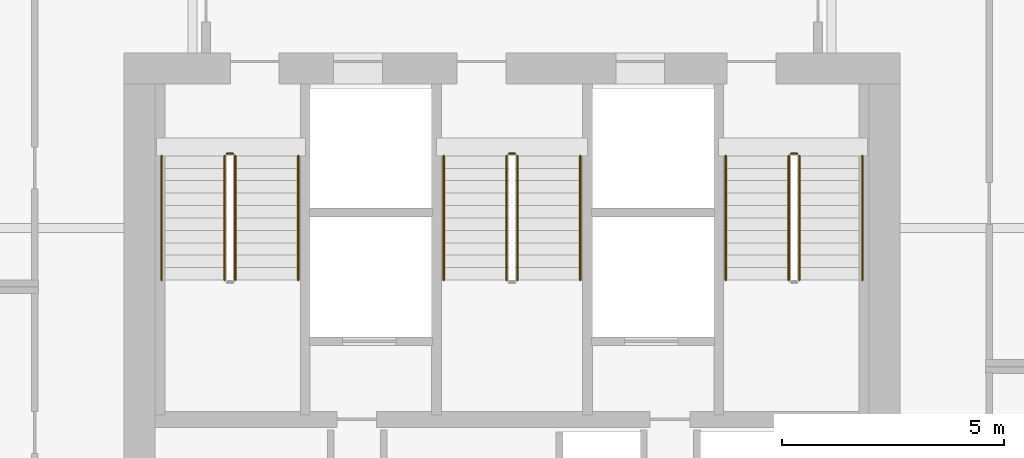
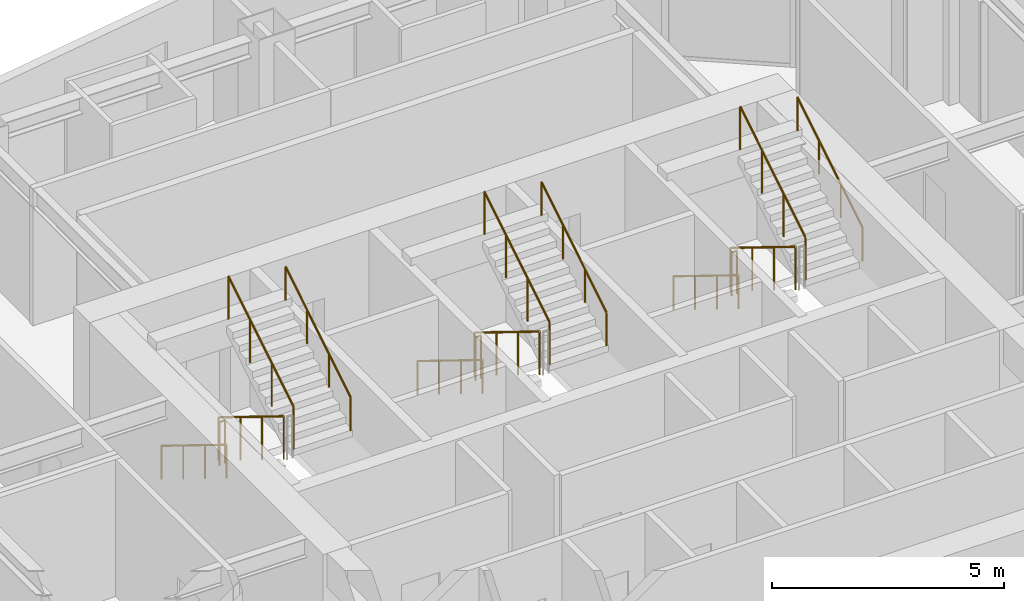
# One storey, part 16 of 16: 15 railings.
"""IFC4 building model written with IfcOpenShell, lengths in metres."""

import ifcopenshell
import ifcopenshell.guid

model = None  # the IFC model being written
_history = None  # IfcOwnerHistory: only IFC2X3 demands one
_inside = {}  # id of a spatial element -> (the spatial element, [elements in it])
_under = {}  # id of a project, library or spatial element -> (it, [spatial elements below it])
_declared = {}  # id of a project -> (the project, [libraries it declares])
_typed = {}  # id of a type object -> (the type object, [elements of that type])
_made_of = {}  # id of a material, layer set ... -> (it, [elements and type objects made of it])


def new_model(schema):
    """Start an empty IFC model of exactly this schema.

    Asked for "IFC4X3", IfcOpenShell would pick the latest addendum, in which some entities
    have other attributes; the version numbers below select the first issue.
    IFC2X3 requires an IfcOwnerHistory on every rooted entity: one is made here for all.
    """
    global model, _history
    if schema == "IFC4X3":
        model = ifcopenshell.file(schema_version=(4, 3, 0, 0))
    else:
        model = ifcopenshell.file(schema=schema)
    _inside.clear()
    _under.clear()
    _declared.clear()
    _typed.clear()
    _made_of.clear()
    _history = None
    if model.schema == "IFC2X3":
        org = make("IfcOrganization", Name="unknown")
        user = make(
            "IfcPersonAndOrganization",
            ThePerson=make("IfcPerson", FamilyName="unknown"),
            TheOrganization=org,
        )
        app = make(
            "IfcApplication",
            ApplicationDeveloper=org,
            Version="unknown",
            ApplicationFullName="unknown",
            ApplicationIdentifier="unknown",
        )
        _history = make(
            "IfcOwnerHistory",
            OwningUser=user,
            OwningApplication=app,
            ChangeAction="ADDED",
            CreationDate=0,
        )
    return model


def make(cls, **values):
    """One entity of the class cls with the attributes given. An attribute that is None is left unset."""
    return model.create_entity(
        cls, **{name: value for name, value in values.items() if value is not None}
    )


def rooted(cls, **values):
    """An entity with a GlobalId (a new one), such as an element, a storey or a relation."""
    return make(cls, GlobalId=ifcopenshell.guid.new(), OwnerHistory=_history, **values)


def si_unit(unit_type, name, prefix=None):
    """IfcSIUnit, for example si_unit("LENGTHUNIT", "METRE", prefix="MILLI")."""
    return make("IfcSIUnit", UnitType=unit_type, Prefix=prefix, Name=name)


def assignment(units):
    """IfcUnitAssignment: the units of a project."""
    return None if units is None else make("IfcUnitAssignment", Units=units)


def point(xyz):
    """IfcCartesianPoint."""
    return None if xyz is None else make("IfcCartesianPoint", Coordinates=xyz)


def direction(xyz):
    """IfcDirection."""
    return None if xyz is None else make("IfcDirection", DirectionRatios=xyz)


def frame(location, z_axis=None, x_axis=None):
    """IfcAxis2Placement3D, a coordinate frame: its origin and axes. An axis left out is left unset."""
    return make(
        "IfcAxis2Placement3D",
        Location=point(location),
        Axis=direction(z_axis),
        RefDirection=direction(x_axis),
    )


def frame_2d(location, x_axis=None):
    """IfcAxis2Placement2D, a coordinate frame in the plane: its origin and x axis."""
    return make(
        "IfcAxis2Placement2D", Location=point(location), RefDirection=direction(x_axis)
    )


def origin():
    """The frame at (0, 0, 0) with its axes left unset."""
    return frame((0.0, 0.0, 0.0))


def origin_2d():
    """The frame at (0, 0) in the plane with its x axis left unset."""
    return frame_2d((0.0, 0.0))


def place(relative_to, where):
    """IfcLocalPlacement: puts the frame where relative to a parent placement (None: the world)."""
    return make(
        "IfcLocalPlacement", PlacementRelTo=relative_to, RelativePlacement=where
    )


def context(
    kind, dimensions, precision=None, world=None, true_north=None, identifier=None
):
    """IfcGeometricRepresentationContext, for example the 3D "Model" context."""
    return make(
        "IfcGeometricRepresentationContext",
        ContextIdentifier=identifier,
        ContextType=kind,
        CoordinateSpaceDimension=dimensions,
        Precision=precision,
        WorldCoordinateSystem=world,
        TrueNorth=true_north,
    )


def subcontext(parent, identifier, kind, view, scale=None):
    """IfcGeometricRepresentationSubContext, for example "Body" below "Model"."""
    return make(
        "IfcGeometricRepresentationSubContext",
        ContextIdentifier=identifier,
        ContextType=kind,
        ParentContext=parent,
        TargetScale=scale,
        TargetView=view,
    )


def project(units=None, contexts=None):
    """IfcProject with its units and contexts."""
    return rooted(
        "IfcProject",
        Name="project",
        RepresentationContexts=contexts,
        UnitsInContext=assignment(units),
    )


def spatial(cls, under=None, at=None, **own):
    """A site, building, storey or space (cls), placed at a placement, below another one or the project."""
    s = rooted(cls, ObjectPlacement=at, **own)
    if under is not None:
        _under.setdefault(under.id(), (under, []))[1].append(s)
    return s


def profile(cls, at=None, kind="AREA", **sizes):
    """A parametric profile (cls). Its sizes go by their IFC names, for example OverallWidth=200.0."""
    return make(cls, ProfileType=kind, Position=at, **sizes)


def circle(**sizes):
    """IfcCircleProfileDef."""
    return profile("IfcCircleProfileDef", **sizes)


def extrude(swept, where, along, depth):
    """IfcExtrudedAreaSolid: the profile swept, set in the frame where, extruded along a direction by depth."""
    return make(
        "IfcExtrudedAreaSolid",
        SweptArea=swept,
        Position=where,
        ExtrudedDirection=direction(along),
        Depth=depth,
    )


def shape(context_of_items, identifier, shape_type, items):
    """IfcShapeRepresentation: the items that make up one representation, for example the "Body"."""
    return make(
        "IfcShapeRepresentation",
        ContextOfItems=context_of_items,
        RepresentationIdentifier=identifier,
        RepresentationType=shape_type,
        Items=items,
    )


def material(Name=None, Category=None):
    """IfcMaterial."""
    return make("IfcMaterial", Name=Name, Category=Category)


def made_of(thing, what):
    """Note that an element or type object is made of a material, layer set ...; save() writes the relation."""
    if what is not None:
        _made_of.setdefault(what.id(), (what, []))[1].append(thing)
    return thing


def type_object(cls, material=None, **own):
    """A type object (cls), such as IfcWallType, which elements share."""
    return made_of(rooted(cls, **own), material)


def element(
    cls,
    number,
    at=None,
    inside=None,
    cuts=None,
    type_object=None,
    material=None,
    context=None,
    identifier="Body",
    shape_type=None,
    held_by="IfcProductDefinitionShape",
    body=None,
    shapes=None,
    **own,
):
    """One element of the class cls, such as IfcWall. Its Tag is "e" and its number.

    at: its placement. inside: the storey or other place that contains it. cuts: it is an
    opening in that element (IfcRelVoidsElement). A single representation is given by context,
    identifier, shape_type and body (its items); several are given by shapes. held_by: the class
    of the entity that holds the representations. save() writes the other relations.
    """
    e = rooted(cls, Tag="e%d" % number, ObjectPlacement=at, **own)
    if body is not None:
        shapes = [shape(context, identifier, shape_type, body)]
    if shapes is not None:
        e.Representation = make(held_by, Representations=shapes)
    if inside is not None:
        _inside.setdefault(inside.id(), (inside, []))[1].append(e)
    if cuts is not None:
        rooted(
            "IfcRelVoidsElement", RelatingBuildingElement=cuts, RelatedOpeningElement=e
        )
    if type_object is not None:
        _typed.setdefault(type_object.id(), (type_object, []))[1].append(e)
    return made_of(e, material)


def aggregate(whole, parts):
    """IfcRelAggregates: a whole, such as a stair, and the parts it consists of."""
    return rooted("IfcRelAggregates", RelatingObject=whole, RelatedObjects=parts)


def save(model, path):
    """Write the relations noted so far, then the file.

    IfcRelAggregates (storeys below a building ...), IfcRelContainedInSpatialStructure (elements
    in a storey), IfcRelDefinesByType, IfcRelAssociatesMaterial and IfcRelDeclares: one each for
    every whole, place, type object, material and project.
    """
    for whole, parts in _under.values():
        aggregate(whole, parts)
    for where, things in _inside.values():
        rooted(
            "IfcRelContainedInSpatialStructure",
            RelatedElements=things,
            RelatingStructure=where,
        )
    for kind, things in _typed.values():
        rooted("IfcRelDefinesByType", RelatedObjects=things, RelatingType=kind)
    for what, things in _made_of.values():
        rooted("IfcRelAssociatesMaterial", RelatedObjects=things, RelatingMaterial=what)
    for by, libraries in _declared.values():
        rooted("IfcRelDeclares", RelatingContext=by, RelatedDefinitions=libraries)
    model.write(path)


model = new_model("IFC4")

# Units and contexts
model_context = context("Model", 3, precision=1e-05, world=origin(), true_north=direction((0.0, 1.0)))
body_context = subcontext(model_context, "Body", "Model", "MODEL_VIEW")
ifc_project = project(units=[si_unit("LENGTHUNIT", "METRE"), si_unit("AREAUNIT", "SQUARE_METRE"), si_unit("VOLUMEUNIT", "CUBIC_METRE"), si_unit("PLANEANGLEUNIT", "RADIAN"), si_unit("MASSUNIT", "GRAM", prefix="KILO")], contexts=[model_context])

# Site, building, storey
site_placement = place(None, origin())
site = spatial("IfcSite", under=ifc_project, at=site_placement, CompositionType="ELEMENT")
building_placement = place(site_placement, origin())
building = spatial("IfcBuilding", under=site, at=building_placement, Name="Haolan Belvedere Tower", CompositionType="ELEMENT")
storey_placement = place(building_placement, frame((0.0, 0.0, 125.0)))
storey = spatial("IfcBuildingStorey", under=building, at=storey_placement, Name="L31", CompositionType="ELEMENT", Elevation=125.0)

# Railings
ifc_material = material(Name="Brushed stainless steel 304", Category="steel")
railing_type_1 = type_object("IfcRailingType", Name="RL-STAIR-GRD-1150", PredefinedType="GUARDRAIL", material=ifc_material)
railing_1_placement = place(storey_placement, frame((31.919921875, 41.22998046875, 0.172607421875)))
element("IfcRailing", 1, at=railing_1_placement, inside=storey, type_object=railing_type_1, Name="L31 ST1 stair guard 1", PredefinedType="GUARDRAIL", context=body_context, shape_type="SweptSolid", body=[
    extrude(circle(Radius=0.02392578125, at=origin_2d()), frame((0.0, 0.0, 1.1259765625), z_axis=(0.0, -0.851089632645, 0.525020415988), x_axis=(1.0, 0.0, 0.0)), (0.0, 0.0, 1.0), 3.2900390625),
    extrude(circle(Radius=0.02099609375, at=origin_2d()), origin(), (0.0, 0.0, 1.0), 1.101806640625),
    extrude(circle(Radius=0.02099609375, at=origin_2d()), frame((0.0, -0.933349609375, 0.57568359375)), (0.0, 0.0, 1.0), 1.101806640625),
    extrude(circle(Radius=0.02099609375, at=origin_2d()), frame((0.0, -1.86669921875, 1.151611328125)), (0.0, 0.0, 1.0), 1.101806640625),
    extrude(circle(Radius=0.02099609375, at=origin_2d()), frame((0.0, -2.800048828125, 1.727294921875)), (0.0, 0.0, 1.0), 1.101806640625),
])
railing_2_placement = place(storey_placement, frame((32.159912109375, 38.429931640625, 2.07275390625)))
element("IfcRailing", 2, at=railing_2_placement, inside=storey, type_object=railing_type_1, Name="L31 ST1 stair guard 3", PredefinedType="GUARDRAIL", context=body_context, shape_type="SweptSolid", body=[
    extrude(circle(Radius=0.02392578125, at=origin_2d()), frame((0.0, 0.0, 1.1259765625), z_axis=(0.0, 0.851089632645, 0.525020415988), x_axis=(-1.0, 0.0, 0.0)), (0.0, 0.0, 1.0), 3.2900390625),
    extrude(circle(Radius=0.02099609375, at=origin_2d()), origin(), (0.0, 0.0, 1.0), 1.101806640625),
    extrude(circle(Radius=0.02099609375, at=origin_2d()), frame((0.0, 0.933349609375, 0.57568359375)), (0.0, 0.0, 1.0), 1.101806640625),
    extrude(circle(Radius=0.02099609375, at=origin_2d()), frame((0.0, 1.86669921875, 1.151611328125)), (0.0, 0.0, 1.0), 1.101806640625),
    extrude(circle(Radius=0.02099609375, at=origin_2d()), frame((0.0, 2.800048828125, 1.727294921875)), (0.0, 0.0, 1.0), 1.101806640625),
])
railing_3_placement = place(storey_placement, frame((31.969970703125, 41.280029296875, 0.0)))
element("IfcRailing", 3, at=railing_3_placement, inside=storey, type_object=railing_type_1, Name="L31 ST1 stair guard 4", PredefinedType="GUARDRAIL", context=body_context, shape_type="SweptSolid", body=[
    extrude(circle(Radius=0.02392578125, at=origin_2d()), frame((0.0, 0.0, 1.1259765625), z_axis=(1.0, 0.0, 0.0), x_axis=(0.0, 1.0, 0.0)), (0.0, 0.0, 1.0), 0.14013671875),
    extrude(circle(Radius=0.02099609375, at=origin_2d()), origin(), (0.0, 0.0, 1.0), 1.101806640625),
    extrude(circle(Radius=0.02099609375, at=origin_2d()), frame((0.14013671875, 0.0, 0.0)), (0.0, 0.0, 1.0), 1.101806640625),
])
railing_4_placement = place(storey_placement, frame((38.280029296875, 41.22998046875, 0.172607421875)))
element("IfcRailing", 4, at=railing_4_placement, inside=storey, type_object=railing_type_1, Name="L31 ST3 stair guard 1", PredefinedType="GUARDRAIL", context=body_context, shape_type="SweptSolid", body=[
    extrude(circle(Radius=0.02392578125, at=origin_2d()), frame((0.0, 0.0, 1.1259765625), z_axis=(0.0, -0.851089632645, 0.525020415988), x_axis=(1.0, 0.0, 0.0)), (0.0, 0.0, 1.0), 3.2900390625),
    extrude(circle(Radius=0.02099609375, at=origin_2d()), origin(), (0.0, 0.0, 1.0), 1.101806640625),
    extrude(circle(Radius=0.02099609375, at=origin_2d()), frame((0.0, -0.933349609375, 0.57568359375)), (0.0, 0.0, 1.0), 1.101806640625),
    extrude(circle(Radius=0.02099609375, at=origin_2d()), frame((0.0, -1.86669921875, 1.151611328125)), (0.0, 0.0, 1.0), 1.101806640625),
    extrude(circle(Radius=0.02099609375, at=origin_2d()), frame((0.0, -2.800048828125, 1.727294921875)), (0.0, 0.0, 1.0), 1.101806640625),
])
railing_5_placement = place(storey_placement, frame((38.52001953125, 38.429931640625, 2.07275390625)))
element("IfcRailing", 5, at=railing_5_placement, inside=storey, type_object=railing_type_1, Name="L31 ST3 stair guard 3", PredefinedType="GUARDRAIL", context=body_context, shape_type="SweptSolid", body=[
    extrude(circle(Radius=0.02392578125, at=origin_2d()), frame((0.0, 0.0, 1.1259765625), z_axis=(0.0, 0.851089632645, 0.525020415988), x_axis=(-1.0, 0.0, 0.0)), (0.0, 0.0, 1.0), 3.2900390625),
    extrude(circle(Radius=0.02099609375, at=origin_2d()), origin(), (0.0, 0.0, 1.0), 1.101806640625),
    extrude(circle(Radius=0.02099609375, at=origin_2d()), frame((0.0, 0.933349609375, 0.57568359375)), (0.0, 0.0, 1.0), 1.101806640625),
    extrude(circle(Radius=0.02099609375, at=origin_2d()), frame((0.0, 1.86669921875, 1.151611328125)), (0.0, 0.0, 1.0), 1.101806640625),
    extrude(circle(Radius=0.02099609375, at=origin_2d()), frame((0.0, 2.800048828125, 1.727294921875)), (0.0, 0.0, 1.0), 1.101806640625),
])
railing_6_placement = place(storey_placement, frame((38.330078125, 41.280029296875, 0.0)))
element("IfcRailing", 6, at=railing_6_placement, inside=storey, type_object=railing_type_1, Name="L31 ST3 stair guard 4", PredefinedType="GUARDRAIL", context=body_context, shape_type="SweptSolid", body=[
    extrude(circle(Radius=0.02392578125, at=origin_2d()), frame((0.0, 0.0, 1.1259765625), z_axis=(1.0, 0.0, 0.0), x_axis=(0.0, 1.0, 0.0)), (0.0, 0.0, 1.0), 0.139892578125),
    extrude(circle(Radius=0.02099609375, at=origin_2d()), origin(), (0.0, 0.0, 1.0), 1.101806640625),
    extrude(circle(Radius=0.02099609375, at=origin_2d()), frame((0.139892578125, 0.0, 0.0)), (0.0, 0.0, 1.0), 1.101806640625),
])
railing_7_placement = place(storey_placement, frame((44.639892578125, 41.22998046875, 0.172607421875)))
element("IfcRailing", 7, at=railing_7_placement, inside=storey, type_object=railing_type_1, Name="L31 ST2 stair guard 1", PredefinedType="GUARDRAIL", context=body_context, shape_type="SweptSolid", body=[
    extrude(circle(Radius=0.02392578125, at=origin_2d()), frame((0.0, 0.0, 1.1259765625), z_axis=(0.0, -0.851089632645, 0.525020415988), x_axis=(1.0, 0.0, 0.0)), (0.0, 0.0, 1.0), 3.2900390625),
    extrude(circle(Radius=0.02099609375, at=origin_2d()), origin(), (0.0, 0.0, 1.0), 1.101806640625),
    extrude(circle(Radius=0.02099609375, at=origin_2d()), frame((0.0, -0.933349609375, 0.57568359375)), (0.0, 0.0, 1.0), 1.101806640625),
    extrude(circle(Radius=0.02099609375, at=origin_2d()), frame((0.0, -1.86669921875, 1.151611328125)), (0.0, 0.0, 1.0), 1.101806640625),
    extrude(circle(Radius=0.02099609375, at=origin_2d()), frame((0.0, -2.800048828125, 1.727294921875)), (0.0, 0.0, 1.0), 1.101806640625),
])
railing_8_placement = place(storey_placement, frame((44.8798828125, 38.429931640625, 2.07275390625)))
element("IfcRailing", 8, at=railing_8_placement, inside=storey, type_object=railing_type_1, Name="L31 ST2 stair guard 3", PredefinedType="GUARDRAIL", context=body_context, shape_type="SweptSolid", body=[
    extrude(circle(Radius=0.02392578125, at=origin_2d()), frame((0.0, 0.0, 1.1259765625), z_axis=(0.0, 0.851089632645, 0.525020415988), x_axis=(-1.0, 0.0, 0.0)), (0.0, 0.0, 1.0), 3.2900390625),
    extrude(circle(Radius=0.02099609375, at=origin_2d()), origin(), (0.0, 0.0, 1.0), 1.101806640625),
    extrude(circle(Radius=0.02099609375, at=origin_2d()), frame((0.0, 0.933349609375, 0.57568359375)), (0.0, 0.0, 1.0), 1.101806640625),
    extrude(circle(Radius=0.02099609375, at=origin_2d()), frame((0.0, 1.86669921875, 1.151611328125)), (0.0, 0.0, 1.0), 1.101806640625),
    extrude(circle(Radius=0.02099609375, at=origin_2d()), frame((0.0, 2.800048828125, 1.727294921875)), (0.0, 0.0, 1.0), 1.101806640625),
])
railing_9_placement = place(storey_placement, frame((44.68994140625, 41.280029296875, 0.0)))
element("IfcRailing", 9, at=railing_9_placement, inside=storey, type_object=railing_type_1, Name="L31 ST2 stair guard 4", PredefinedType="GUARDRAIL", context=body_context, shape_type="SweptSolid", body=[
    extrude(circle(Radius=0.02392578125, at=origin_2d()), frame((0.0, 0.0, 1.1259765625), z_axis=(1.0, 0.0, 0.0), x_axis=(0.0, 1.0, 0.0)), (0.0, 0.0, 1.0), 0.14013671875),
    extrude(circle(Radius=0.02099609375, at=origin_2d()), origin(), (0.0, 0.0, 1.0), 1.101806640625),
    extrude(circle(Radius=0.02099609375, at=origin_2d()), frame((0.14013671875, 0.0, 0.0)), (0.0, 0.0, 1.0), 1.101806640625),
])
railing_type_2 = type_object("IfcRailingType", Name="RL-STAIR-HND-900", PredefinedType="HANDRAIL", material=ifc_material)
railing_10_placement = place(storey_placement, frame((30.5, 41.22998046875, 0.172607421875)))
element("IfcRailing", 10, at=railing_10_placement, inside=storey, type_object=railing_type_2, Name="L31 ST1 stair handrail 1", PredefinedType="HANDRAIL", context=body_context, shape_type="SweptSolid", body=[
    extrude(circle(Radius=0.02392578125, at=origin_2d()), frame((0.0, 0.0, 0.8759765625), z_axis=(0.0, -0.851089632645, 0.525020415988), x_axis=(1.0, 0.0, 0.0)), (0.0, 0.0, 1.0), 3.2900390625),
    extrude(circle(Radius=0.02099609375, at=origin_2d()), origin(), (0.0, 0.0, 1.0), 0.851806640625),
    extrude(circle(Radius=0.02099609375, at=origin_2d()), frame((0.0, -0.933349609375, 0.57568359375)), (0.0, 0.0, 1.0), 0.851806640625),
    extrude(circle(Radius=0.02099609375, at=origin_2d()), frame((0.0, -1.86669921875, 1.151611328125)), (0.0, 0.0, 1.0), 0.851806640625),
    extrude(circle(Radius=0.02099609375, at=origin_2d()), frame((0.0, -2.800048828125, 1.727294921875)), (0.0, 0.0, 1.0), 0.851806640625),
])
railing_11_placement = place(storey_placement, frame((33.580078125, 38.429931640625, 2.07275390625)))
element("IfcRailing", 11, at=railing_11_placement, inside=storey, type_object=railing_type_2, Name="L31 ST1 stair handrail 2", PredefinedType="HANDRAIL", context=body_context, shape_type="SweptSolid", body=[
    extrude(circle(Radius=0.02392578125, at=origin_2d()), frame((0.0, 0.0, 0.8759765625), z_axis=(0.0, 0.851089632645, 0.525020415988), x_axis=(-1.0, 0.0, 0.0)), (0.0, 0.0, 1.0), 3.2900390625),
    extrude(circle(Radius=0.02099609375, at=origin_2d()), origin(), (0.0, 0.0, 1.0), 0.851806640625),
    extrude(circle(Radius=0.02099609375, at=origin_2d()), frame((0.0, 0.933349609375, 0.57568359375)), (0.0, 0.0, 1.0), 0.851806640625),
    extrude(circle(Radius=0.02099609375, at=origin_2d()), frame((0.0, 1.86669921875, 1.151611328125)), (0.0, 0.0, 1.0), 0.851806640625),
    extrude(circle(Radius=0.02099609375, at=origin_2d()), frame((0.0, 2.800048828125, 1.727294921875)), (0.0, 0.0, 1.0), 0.851806640625),
])
railing_12_placement = place(storey_placement, frame((36.860107421875, 41.22998046875, 0.172607421875)))
element("IfcRailing", 12, at=railing_12_placement, inside=storey, type_object=railing_type_2, Name="L31 ST3 stair handrail 1", PredefinedType="HANDRAIL", context=body_context, shape_type="SweptSolid", body=[
    extrude(circle(Radius=0.02392578125, at=origin_2d()), frame((0.0, 0.0, 0.8759765625), z_axis=(0.0, -0.851089632645, 0.525020415988), x_axis=(1.0, 0.0, 0.0)), (0.0, 0.0, 1.0), 3.2900390625),
    extrude(circle(Radius=0.02099609375, at=origin_2d()), origin(), (0.0, 0.0, 1.0), 0.851806640625),
    extrude(circle(Radius=0.02099609375, at=origin_2d()), frame((0.0, -0.933349609375, 0.57568359375)), (0.0, 0.0, 1.0), 0.851806640625),
    extrude(circle(Radius=0.02099609375, at=origin_2d()), frame((0.0, -1.86669921875, 1.151611328125)), (0.0, 0.0, 1.0), 0.851806640625),
    extrude(circle(Radius=0.02099609375, at=origin_2d()), frame((0.0, -2.800048828125, 1.727294921875)), (0.0, 0.0, 1.0), 0.851806640625),
])
railing_13_placement = place(storey_placement, frame((39.93994140625, 38.429931640625, 2.07275390625)))
element("IfcRailing", 13, at=railing_13_placement, inside=storey, type_object=railing_type_2, Name="L31 ST3 stair handrail 2", PredefinedType="HANDRAIL", context=body_context, shape_type="SweptSolid", body=[
    extrude(circle(Radius=0.02392578125, at=origin_2d()), frame((0.0, 0.0, 0.8759765625), z_axis=(0.0, 0.851089632645, 0.525020415988), x_axis=(-1.0, 0.0, 0.0)), (0.0, 0.0, 1.0), 3.2900390625),
    extrude(circle(Radius=0.02099609375, at=origin_2d()), origin(), (0.0, 0.0, 1.0), 0.851806640625),
    extrude(circle(Radius=0.02099609375, at=origin_2d()), frame((0.0, 0.933349609375, 0.57568359375)), (0.0, 0.0, 1.0), 0.851806640625),
    extrude(circle(Radius=0.02099609375, at=origin_2d()), frame((0.0, 1.86669921875, 1.151611328125)), (0.0, 0.0, 1.0), 0.851806640625),
    extrude(circle(Radius=0.02099609375, at=origin_2d()), frame((0.0, 2.800048828125, 1.727294921875)), (0.0, 0.0, 1.0), 0.851806640625),
])
railing_14_placement = place(storey_placement, frame((43.219970703125, 41.22998046875, 0.172607421875)))
element("IfcRailing", 14, at=railing_14_placement, inside=storey, type_object=railing_type_2, Name="L31 ST2 stair handrail 1", PredefinedType="HANDRAIL", context=body_context, shape_type="SweptSolid", body=[
    extrude(circle(Radius=0.02392578125, at=origin_2d()), frame((0.0, 0.0, 0.8759765625), z_axis=(0.0, -0.851089632645, 0.525020415988), x_axis=(1.0, 0.0, 0.0)), (0.0, 0.0, 1.0), 3.2900390625),
    extrude(circle(Radius=0.02099609375, at=origin_2d()), origin(), (0.0, 0.0, 1.0), 0.851806640625),
    extrude(circle(Radius=0.02099609375, at=origin_2d()), frame((0.0, -0.933349609375, 0.57568359375)), (0.0, 0.0, 1.0), 0.851806640625),
    extrude(circle(Radius=0.02099609375, at=origin_2d()), frame((0.0, -1.86669921875, 1.151611328125)), (0.0, 0.0, 1.0), 0.851806640625),
    extrude(circle(Radius=0.02099609375, at=origin_2d()), frame((0.0, -2.800048828125, 1.727294921875)), (0.0, 0.0, 1.0), 0.851806640625),
])
railing_15_placement = place(storey_placement, frame((46.300048828125, 38.429931640625, 2.07275390625)))
element("IfcRailing", 15, at=railing_15_placement, inside=storey, type_object=railing_type_2, Name="L31 ST2 stair handrail 2", PredefinedType="HANDRAIL", context=body_context, shape_type="SweptSolid", body=[
    extrude(circle(Radius=0.02392578125, at=origin_2d()), frame((0.0, 0.0, 0.8759765625), z_axis=(0.0, 0.851089632645, 0.525020415988), x_axis=(-1.0, 0.0, 0.0)), (0.0, 0.0, 1.0), 3.2900390625),
    extrude(circle(Radius=0.02099609375, at=origin_2d()), origin(), (0.0, 0.0, 1.0), 0.851806640625),
    extrude(circle(Radius=0.02099609375, at=origin_2d()), frame((0.0, 0.933349609375, 0.57568359375)), (0.0, 0.0, 1.0), 0.851806640625),
    extrude(circle(Radius=0.02099609375, at=origin_2d()), frame((0.0, 1.86669921875, 1.151611328125)), (0.0, 0.0, 1.0), 0.851806640625),
    extrude(circle(Radius=0.02099609375, at=origin_2d()), frame((0.0, 2.800048828125, 1.727294921875)), (0.0, 0.0, 1.0), 0.851806640625),
])

save(model, "model.ifc")
